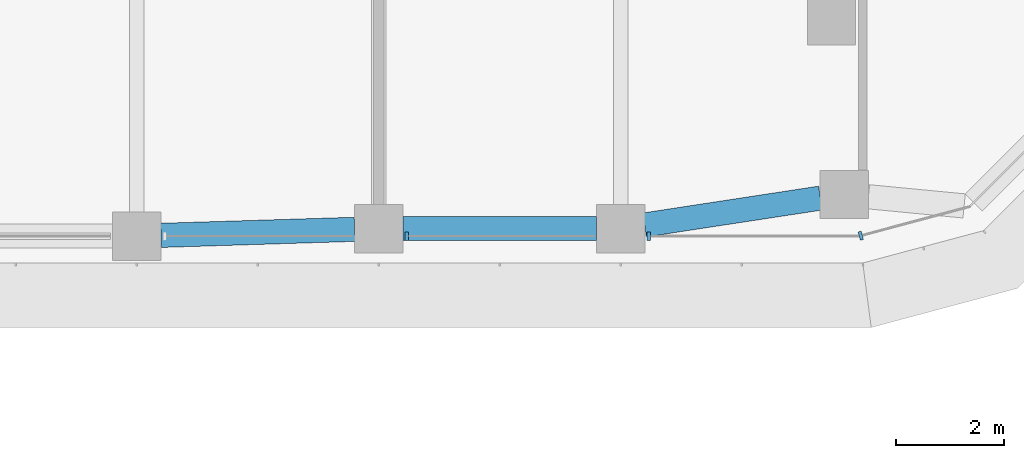
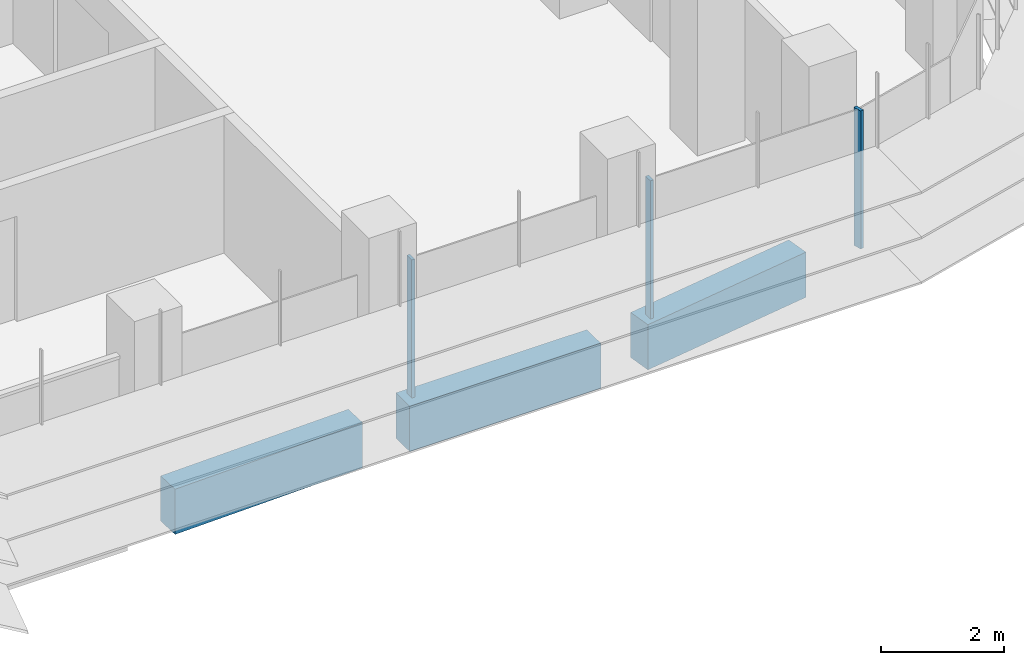
# One storey, part 5 of 22: 3 beams, 3 members, 2 elements without a shape of their own.
"""IFC4 building model written with IfcOpenShell, lengths in metres."""

from ifc_helpers import new_model, si_unit, direction, frame, origin, origin_2d, place, context, subcontext, project, spatial, polyline, rectangle, outline, extrude, source, transform, mapped, material, material_profile, profile_set, type_object, element, aggregate, save


model = new_model("IFC4")

# Units and contexts
model_context = context("Model", 3, precision=1e-05, world=origin(), true_north=direction((0.0, 1.0)))
body_context = subcontext(model_context, "Body", "Model", "MODEL_VIEW")
ifc_project = project(units=[si_unit("LENGTHUNIT", "METRE"), si_unit("AREAUNIT", "SQUARE_METRE"), si_unit("VOLUMEUNIT", "CUBIC_METRE"), si_unit("PLANEANGLEUNIT", "RADIAN"), si_unit("MASSUNIT", "GRAM", prefix="KILO")], contexts=[model_context])

# Site, building, storey
site_placement = place(None, origin())
site = spatial("IfcSite", under=ifc_project, at=site_placement, CompositionType="ELEMENT")
building_placement = place(site_placement, origin())
building = spatial("IfcBuilding", under=site, at=building_placement, Name="Zarbagh Exchange Tower", CompositionType="ELEMENT")
storey_placement = place(building_placement, frame((0.0, 0.0, 101.800048828125)))
storey = spatial("IfcBuildingStorey", under=building, at=storey_placement, Name="L23", CompositionType="ELEMENT", Elevation=101.800048828125)

# Beams
ifc_material_1 = material(Name="Concrete C60/75", Category="concrete")
ifc_material_profile = material_profile(ifc_material_1, rectangle(XDim=0.449951171875, YDim=0.89990234375, at=origin_2d()), Name="RC spandrel beam 450 x 900 C60/75")
ifc_profile_set = profile_set([ifc_material_profile], Name="Concrete C60/75")
beam_type = type_object("IfcBeamType", Name="RC spandrel beam 450 x 900 C60/75", PredefinedType="SPANDREL", material=ifc_profile_set)
beam_1_placement = place(storey_placement, frame((28.463134765625, -5.54296875, -0.60009765625), z_axis=(-0.988543505948, -0.150936201252, 0.0), x_axis=(0.150936201252, -0.988543505948, 0.0)))
element("IfcBeam", 1, at=beam_1_placement, inside=storey, type_object=beam_type, Name="RC spandrel beam", PredefinedType="SPANDREL", context=body_context, shape_type="SweptSolid", body=[
    extrude(rectangle(XDim=0.449951171875, YDim=0.89990234375, at=origin_2d()), origin(), (0.0, 0.0, 1.0), 3.30615234375),
])
beam_2_placement = place(storey_placement, frame((24.300048828125, -6.110107421875, -0.60009765625), z_axis=(-1.0, 0.0, 0.0), x_axis=(0.0, -1.0, 0.0)))
element("IfcBeam", 2, at=beam_2_placement, inside=storey, type_object=beam_type, Name="RC spandrel beam", PredefinedType="SPANDREL", context=body_context, shape_type="SweptSolid", body=[
    extrude(rectangle(XDim=0.449951171875, YDim=0.89990234375, at=origin_2d()), origin(), (0.0, 0.0, 1.0), 3.60009765625),
])
beam_3_placement = place(storey_placement, frame((19.80029296875, -6.1240234375, -0.60009765625), z_axis=(-0.999516035224, -0.031107801747, 0.0), x_axis=(0.031107801747, -0.999516035224, 0.0)))
element("IfcBeam", 3, at=beam_3_placement, inside=storey, type_object=beam_type, Name="RC spandrel beam", PredefinedType="SPANDREL", context=body_context, shape_type="SweptSolid", body=[
    extrude(rectangle(XDim=0.449951171875, YDim=0.89990234375, at=origin_2d()), origin(), (0.0, 0.0, 1.0), 3.602294921875),
])

# Curtain wall, members
ifc_material_2 = material(Name="Anodised aluminium frame and glazing", Category="aluminium")
curtain_wall_type = type_object("IfcCurtainWallType", Name="CWA Ribbon glazing, lower zones", PredefinedType="NOTDEFINED", material=ifc_material_2)
curtain_wall_1_placement = place(storey_placement, origin())
curtain_wall_1 = element("IfcCurtainWall", 4, at=curtain_wall_1_placement, inside=storey, type_object=curtain_wall_type, Name="CWA08 curtain wall", PredefinedType="NOTDEFINED")
ifc_material_3 = material(Name="Anodised aluminium frame", Category="aluminium")
member_type = type_object("IfcMemberType", Name="MUA Mullion, anodised aluminium frame", PredefinedType="MULLION", material=ifc_material_3)
shared_shape = source(origin(), body_context, "Body", "SweptSolid", [
    extrude(outline(polyline([(0.0, -0.080078125), (0.06005859375, -0.080078125), (0.06005859375, 0.080078125), (0.0, 0.080078125), (0.0, -0.080078125)])), origin(), (0.0, 0.0, 1.0), 2.75),
])
placement = place(storey_placement, origin())
member_1 = element("IfcMember", 5, at=placement, type_object=member_type, Name="CWA08 mullion 3.1", PredefinedType="MULLION", context=body_context, shape_type="MappedRepresentation", body=[
    mapped(shared_shape, transform((20.739990234375, -6.25, 0.0), x_axis=(1.0, 0.0, 0.0), y_axis=(0.0, 1.0, 0.0), z_axis=(0.0, 0.0, 1.0))),
])
member_2 = element("IfcMember", 6, at=placement, type_object=member_type, Name="CWA08 mullion 4.1", PredefinedType="MULLION", context=body_context, shape_type="MappedRepresentation", body=[
    mapped(shared_shape, transform((25.239990234375, -6.25, 0.0), x_axis=(1.0, 0.0, 0.0), y_axis=(0.0, 1.0, 0.0), z_axis=(0.0, 0.0, 1.0))),
])
aggregate(curtain_wall_1, [member_1, member_2])

# Curtain wall, member
curtain_wall_2_placement = place(storey_placement, origin())
curtain_wall_2 = element("IfcCurtainWall", 7, at=curtain_wall_2_placement, inside=storey, type_object=curtain_wall_type, Name="CWA09 curtain wall", PredefinedType="NOTDEFINED")
member_3 = element("IfcMember", 8, at=placement, type_object=member_type, Name="CWA09 mullion 1.1", PredefinedType="MULLION", context=body_context, shape_type="MappedRepresentation", body=[
    mapped(shared_shape, transform((29.18408203125, -6.25, 0.0), x_axis=(0.965924289636, 0.258824779902, 0.0), y_axis=(-0.258824779902, 0.965924289636, 0.0), z_axis=(0.0, 0.0, 1.0))),
])
aggregate(curtain_wall_2, [member_3])

save(model, "model.ifc")
